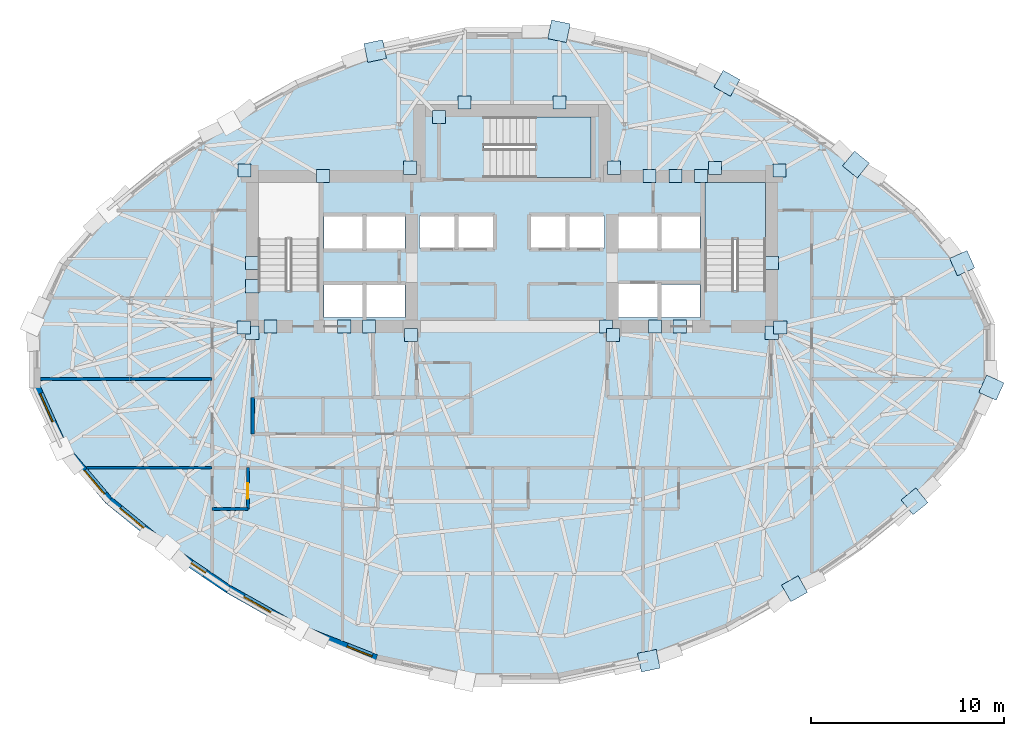
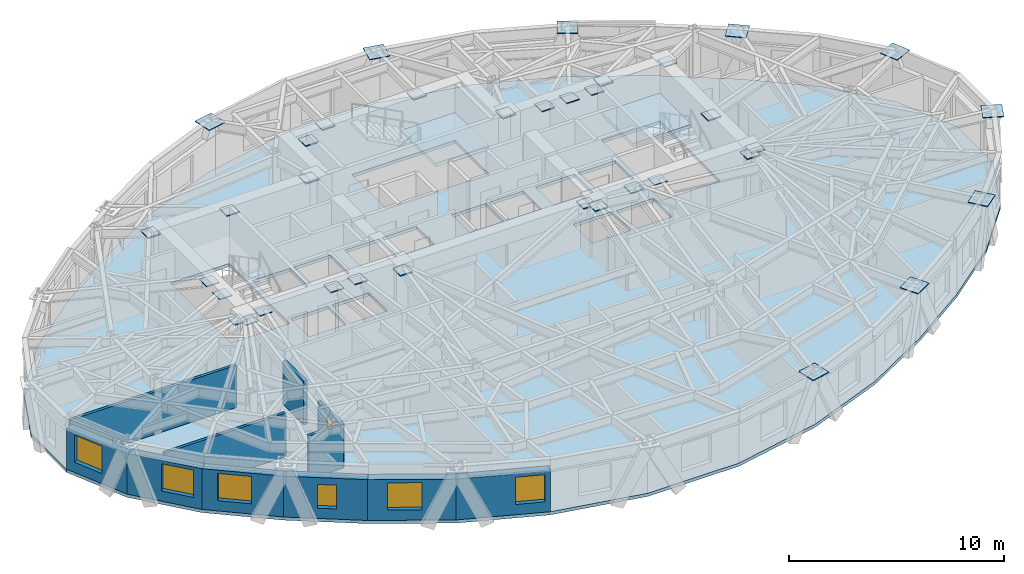
# One storey, part 5 of 14: 36 plates, 11 walls, 6 windows, 3 slabs, 1 door, 7 openings, 2 elements without a shape of their own.
"""IFC4 building model written with IfcOpenShell, lengths in metres."""

from ifc_helpers import new_model, si_unit, direction, frame, frame_2d, origin, origin_2d, place, context, subcontext, project, spatial, polyline, rectangle, outline, extrude, material, layer, layer_set, type_object, element, fill, aggregate, save


model = new_model("IFC4")

# Units and contexts
model_context = context("Model", 3, precision=1e-05, world=origin(), true_north=direction((0.0, 1.0)))
body_context = subcontext(model_context, "Body", "Model", "MODEL_VIEW")
ifc_project = project(units=[si_unit("LENGTHUNIT", "METRE"), si_unit("AREAUNIT", "SQUARE_METRE"), si_unit("VOLUMEUNIT", "CUBIC_METRE"), si_unit("PLANEANGLEUNIT", "RADIAN"), si_unit("MASSUNIT", "GRAM", prefix="KILO")], contexts=[model_context])

# Site, building, storey
site_placement = place(None, origin())
site = spatial("IfcSite", under=ifc_project, at=site_placement, CompositionType="ELEMENT")
building_placement = place(site_placement, origin())
building = spatial("IfcBuilding", under=site, at=building_placement, Name="Keldmark Tower", CompositionType="ELEMENT")
storey_placement = place(building_placement, frame((0.0, 0.0, 182.199951171875)))
storey = spatial("IfcBuildingStorey", under=building, at=storey_placement, Name="L50", CompositionType="ELEMENT", Elevation=182.199951171875)

# Plates
ifc_material_1 = material(Name="Steel ASTM A572 Grade 50", Category="steel")
ifc_layer_1 = layer(ifc_material_1, 0.06005859375)
ifc_layer_set_1 = layer_set([ifc_layer_1], Name="Steel ASTM A572 Grade 50")
plate_type_1 = type_object("IfcPlateType", Name="Belt Truss Kink Node Assembly KN01 60 mm", PredefinedType="USERDEFINED", material=ifc_layer_set_1)
for number, where, z_axis, x_axis, name in (
    (1, (13.91162109375, 1.473388671875, 2.72412109375), (0.0, 0.0, 1.0), (1.0, 0.0, 0.0), "L50 Core Wall Cast-In Embed Plate 1470"),
    (2, (13.878173828125, 9.608154296875, 2.72412109375), (0.0, 0.0, 1.0), (1.0, 0.0, 0.0), "L50 Core Wall Cast-In Embed Plate 1471"),
    (3, (5.28515625, 9.758544921875, 2.72412109375), (0.0, 0.0, 1.0), (1.0, 0.0, 0.0), "L50 Core Wall Cast-In Embed Plate 1472"),
    (4, (-5.28515625, 9.758544921875, 2.72412109375), (0.0, 0.0, 1.0), (1.0, 0.0, 0.0), "L50 Core Wall Cast-In Embed Plate 1473"),
    (5, (-13.878173828125, 9.608154296875, 2.72412109375), (0.0, 0.0, 1.0), (1.0, 0.0, 0.0), "L50 Core Wall Cast-In Embed Plate 1474"),
    (6, (-13.91162109375, 1.473388671875, 2.72412109375), (0.0, 0.0, 1.0), (1.0, 0.0, 0.0), "L50 Core Wall Cast-In Embed Plate 1475"),
    (7, (-5.24072265625, 1.08251953125, 2.72412109375), (0.0, 0.0, 1.0), (1.0, 0.0, 0.0), "L50 Core Wall Cast-In Embed Plate 1476"),
    (8, (5.24072265625, 1.08251953125, 2.72412109375), (0.0, 0.0, 1.0), (1.0, 0.0, 0.0), "L50 Core Wall Cast-In Embed Plate 1477"),
    (9, (-13.47509765625, 1.199951171875, 2.72412109375), (0.0, 0.0, 1.0), (1.0, 0.0, 0.0), "L50 Core Wall Cast-In Embed Plate 1478"),
    (10, (-7.425048828125, 1.52490234375, 2.72412109375), (0.0, 0.0, 1.0), (1.0, 0.0, 0.0), "L50 Core Wall Cast-In Embed Plate 1479"),
    (11, (7.425048828125, 1.52490234375, 2.72412109375), (0.0, 0.0, 1.0), (1.0, 0.0, 0.0), "L50 Core Wall Cast-In Embed Plate 1480"),
    (12, (13.47509765625, 1.199951171875, 2.72412109375), (0.0, 0.0, 1.0), (1.0, 0.0, 0.0), "L50 Core Wall Cast-In Embed Plate 1481"),
    (13, (13.47509765625, 4.8212890625, 2.72412109375), (0.0, 0.0, 1.0), (1.0, 0.0, 0.0), "L50 Core Wall Cast-In Embed Plate 1482"),
    (14, (9.8037109375, 9.324951171875, 2.72412109375), (0.0, 0.0, 1.0), (1.0, 0.0, 0.0), "L50 Core Wall Cast-In Embed Plate 1483"),
    (15, (10.535400390625, 9.74560546875, 2.72412109375), (0.0, 0.0, 1.0), (1.0, 0.0, 0.0), "L50 Core Wall Cast-In Embed Plate 1484"),
    (16, (7.139404296875, 9.324951171875, 2.72412109375), (0.0, 0.0, 1.0), (1.0, 0.0, 0.0), "L50 Core Wall Cast-In Embed Plate 1485"),
    (17, (-9.8037109375, 9.324951171875, 2.72412109375), (0.0, 0.0, 1.0), (1.0, 0.0, 0.0), "L50 Core Wall Cast-In Embed Plate 1486"),
    (18, (-13.47509765625, 4.8212890625, 2.72412109375), (0.0, 0.0, 1.0), (1.0, 0.0, 0.0), "L50 Core Wall Cast-In Embed Plate 1487"),
    (19, (-13.47509765625, 3.6142578125, 2.72412109375), (0.0, 0.0, 1.0), (1.0, 0.0, 0.0), "L50 Core Wall Cast-In Embed Plate 1488"),
    (20, (4.875, 1.52490234375, 2.72412109375), (0.0, 0.0, 1.0), (1.0, 0.0, 0.0), "L50 Core Wall Cast-In Embed Plate 1489"),
    (21, (-12.52490234375, 1.52490234375, 2.72412109375), (0.0, 0.0, 1.0), (1.0, 0.0, 0.0), "L50 Core Wall Cast-In Embed Plate 1490"),
    (22, (-8.699951171875, 1.52490234375, 2.72412109375), (0.0, 0.0, 1.0), (1.0, 0.0, 0.0), "L50 Core Wall Cast-In Embed Plate 1491"),
    (23, (8.699951171875, 1.52490234375, 2.72412109375), (0.0, 0.0, 1.0), (1.0, 0.0, 0.0), "L50 Core Wall Cast-In Embed Plate 1492"),
    (24, (2.45458984375, 13.14990234375, 2.72412109375), (0.0, 0.0, 1.0), (1.0, 0.0, 0.0), "L50 Core Wall Cast-In Embed Plate 1493"),
    (25, (-2.45458984375, 13.14990234375, 2.72412109375), (0.0, 0.0, 1.0), (1.0, 0.0, 0.0), "L50 Core Wall Cast-In Embed Plate 1494"),
    (26, (8.471435546875, 9.324951171875, 2.72412109375), (0.0, 0.0, 1.0), (1.0, 0.0, 0.0), "L50 Core Wall Cast-In Embed Plate 1495"),
    (27, (-3.784912109375, 12.39990234375, 2.72412109375), (0.0, 0.0, 1.0), (1.0, 0.0, 0.0), "L50 Core Wall Cast-In Embed Plate 1496"),
):
    element("IfcPlate", number, at=place(storey_placement, frame(where, z_axis=z_axis, x_axis=x_axis)), inside=storey, type_object=plate_type_1, Name=name, ObjectType="CAP PLATE", PredefinedType="USERDEFINED", context=body_context, shape_type="SweptSolid", body=[
        extrude(rectangle(XDim=0.679931640625, YDim=0.679931640625, at=origin_2d()), origin(), (0.0, 0.0, 1.0), 0.054931640625),
    ])
ifc_material_2 = material(Name="Steel ASTM A572 Grade 50", Category="steel")
ifc_layer_2 = layer(ifc_material_2, 0.044921875)
ifc_layer_set_2 = layer_set([ifc_layer_2], Name="Steel ASTM A572 Grade 50")
plate_type_2 = type_object("IfcPlateType", Name="Diagrid Node Assembly DN04 45 mm", PredefinedType="USERDEFINED", material=ifc_layer_set_2)
for number, where, z_axis, x_axis, name in (
    (28, (23.350830078125, 4.808349609375, 2.877685546875), (0.0, 0.0, 1.0), (-0.410877978854, 0.911690345728, 0.0), "L50 Diagrid Node Assembly 01"),
    (29, (17.83837890625, 9.92578125, 2.877685546875), (0.0, 0.0, 1.0), (-0.775165061333, 0.631758757508, 0.0), "L50 Diagrid Node Assembly 03"),
    (30, (11.1455078125, 14.137939453125, 2.877685546875), (0.0, 0.0, 1.0), (-0.87104240031, 0.491207834691, 0.0), "L50 Diagrid Node Assembly 05"),
    (31, (2.437255859375, 16.83837890625, 2.877685546875), (0.0, 0.0, 1.0), (-0.979222810622, 0.202787295357, 0.0), "L50 Diagrid Node Assembly 07"),
    (32, (-7.095703125, 15.81103515625, 2.877685546875), (0.0, 0.0, 1.0), (-0.979222810622, -0.202787295357, 0.0), "L50 Diagrid Node Assembly 09"),
    (33, (7.095703125, -15.81103515625, 2.877685546875), (0.0, 0.0, 1.0), (0.979222810622, 0.202787295357, 0.0), "L50 Diagrid Node Assembly 25"),
    (34, (14.654541015625, -12.075927734375, 2.877685546875), (0.0, 0.0, 1.0), (0.87104240031, 0.491207834691, 0.0), "L50 Diagrid Node Assembly 27"),
    (35, (20.87646484375, -7.54345703125, 2.877685546875), (0.0, 0.0, 1.0), (0.775165061333, 0.631758757508, 0.0), "L50 Diagrid Node Assembly 29"),
    (36, (24.865478515625, -1.646728515625, 2.877685546875), (0.0, 0.0, 1.0), (0.410877978854, 0.911690345728, 0.0), "L50 Diagrid Node Assembly 31"),
):
    element("IfcPlate", number, at=place(storey_placement, frame(where, z_axis=z_axis, x_axis=x_axis)), inside=storey, type_object=plate_type_2, Name=name, ObjectType="GUSSET", PredefinedType="USERDEFINED", context=body_context, shape_type="SweptSolid", body=[
        extrude(rectangle(XDim=0.989990234375, YDim=0.989990234375, at=origin_2d()), origin(), (0.0, 0.0, 1.0), 0.044921875),
    ])

# Slab
ifc_material_3 = material(Name="Concrete C35/45", Category="concrete")
ifc_layer_3 = layer(ifc_material_3, 0.179931640625)
ifc_layer_set_3 = layer_set([ifc_layer_3], Name="Concrete C35/45")
slab_type_1 = type_object("IfcSlabType", Name="Hotel and Residential Slab 180 mm", PredefinedType="FLOOR", material=ifc_layer_set_3)
slab_1_placement = place(storey_placement, frame((0.0, 0.0, -0.179931640625)))
element("IfcSlab", 37, at=slab_1_placement, inside=storey, type_object=slab_type_1, Name="L50 Composite Structural Floor Slab", PredefinedType="FLOOR", context=body_context, shape_type="SweptSolid", body=[
    extrude(outline(polyline([(24.900390625, 1.66259765625), (23.474365234375, 4.827392578125), (21.08203125, 7.63916015625), (18.099609375, 10.069580078125), (14.85400390625, 12.27001953125), (11.2685546875, 14.2919921875), (7.120849609375, 15.913818359375), (2.452392578125, 16.880615234375), (-2.452392578125, 16.880615234375), (-7.120849609375, 15.913818359375), (-11.2685546875, 14.2919921875), (-14.85400390625, 12.27001953125), (-18.099609375, 10.069580078125), (-21.08203125, 7.63916015625), (-23.474365234375, 4.827392578125), (-24.900390625, 1.66259765625), (-24.900390625, -1.66259765625), (-23.474365234375, -4.827392578125), (-21.08203125, -7.63916015625), (-18.099609375, -10.069580078125), (-14.85400390625, -12.27001953125), (-11.2685546875, -14.2919921875), (-7.120849609375, -15.913818359375), (-2.452392578125, -16.880615234375), (2.452392578125, -16.880615234375), (7.120849609375, -15.913818359375), (11.2685546875, -14.2919921875), (14.85400390625, -12.27001953125), (18.099609375, -10.069580078125), (21.08203125, -7.63916015625), (23.474365234375, -4.827392578125), (24.900390625, -1.66259765625), (24.900390625, 1.66259765625)]), holes=[polyline([(-10.0, 3.385009765625), (-10.0, 9.0), (-13.14990234375, 9.0), (-13.14990234375, 3.385009765625), (-10.0, 3.385009765625)]), polyline([(13.14990234375, 3.385009765625), (13.14990234375, 9.0), (10.0, 9.0), (10.0, 3.385009765625), (13.14990234375, 3.385009765625)]), polyline([(-1.43994140625, 9.25), (4.10498046875, 9.25), (4.10498046875, 12.39990234375), (-1.43994140625, 12.39990234375), (-1.43994140625, 9.25)]), polyline([(-9.75, 2.0), (-7.75, 2.0), (-7.75, 3.699951171875), (-9.75, 3.699951171875), (-9.75, 2.0)]), polyline([(7.75, 2.0), (9.75, 2.0), (9.75, 3.699951171875), (7.75, 3.699951171875), (7.75, 2.0)]), polyline([(5.449951171875, 2.0), (7.550048828125, 2.0), (7.550048828125, 3.75), (5.449951171875, 3.75), (5.449951171875, 2.0)]), polyline([(-4.800048828125, 5.60009765625), (-2.949951171875, 5.60009765625), (-2.949951171875, 7.25), (-4.800048828125, 7.25), (-4.800048828125, 5.60009765625)]), polyline([(-2.800048828125, 5.60009765625), (-0.949951171875, 5.60009765625), (-0.949951171875, 7.25), (-2.800048828125, 7.25), (-2.800048828125, 5.60009765625)]), polyline([(0.949951171875, 5.60009765625), (2.800048828125, 5.60009765625), (2.800048828125, 7.25), (0.949951171875, 7.25), (0.949951171875, 5.60009765625)]), polyline([(2.949951171875, 5.60009765625), (4.800048828125, 5.60009765625), (4.800048828125, 7.25), (2.949951171875, 7.25), (2.949951171875, 5.60009765625)]), polyline([(-9.75, 5.550048828125), (-7.75, 5.550048828125), (-7.75, 7.25), (-9.75, 7.25), (-9.75, 5.550048828125)]), polyline([(-7.550048828125, 5.550048828125), (-5.550048828125, 5.550048828125), (-5.550048828125, 7.25), (-7.550048828125, 7.25), (-7.550048828125, 5.550048828125)]), polyline([(-7.550048828125, 2.0), (-5.550048828125, 2.0), (-5.550048828125, 3.699951171875), (-7.550048828125, 3.699951171875), (-7.550048828125, 2.0)]), polyline([(5.449951171875, 5.550048828125), (7.550048828125, 5.550048828125), (7.550048828125, 7.25), (5.449951171875, 7.25), (5.449951171875, 5.550048828125)]), polyline([(7.75, 5.550048828125), (9.75, 5.550048828125), (9.75, 7.25), (7.75, 7.25), (7.75, 5.550048828125)])]), origin(), (0.0, 0.0, 1.0), 0.179931640625),
])

# Stair, slab
ifc_material_4 = material(Name="Concrete C40/50", Category="concrete")
stair_type = type_object("IfcStairType", Name="Precast Concrete Core Exit Stair", PredefinedType="HALF_TURN_STAIR", material=ifc_material_4)
stair_1_placement = place(storey_placement, origin())
stair_1 = element("IfcStair", 38, at=stair_1_placement, inside=storey, type_object=stair_type, Name="L50 Exit Stair ST2", PredefinedType="HALF_TURN_STAIR")
ifc_material_5 = material(Name="Concrete C40/50", Category="concrete")
ifc_layer_4 = layer(ifc_material_5, 0.199951171875)
ifc_layer_set_4 = layer_set([ifc_layer_4], Name="Concrete C40/50")
slab_type_2 = type_object("IfcSlabType", Name="Reinforced Concrete Stair Landing 200 mm", PredefinedType="LANDING", material=ifc_layer_set_4)
slab_2_placement = place(storey_placement, frame((0.0, 0.0, 1.400146484375)))
slab_2 = element("IfcSlab", 39, at=slab_2_placement, type_object=slab_type_2, Name="ST2 landing 1", PredefinedType="LANDING", context=body_context, shape_type="SweptSolid", body=[
    extrude(outline(polyline([(13.14990234375, 6.050048828125), (13.14990234375, 9.0), (10.0, 9.0), (10.0, 6.050048828125), (13.14990234375, 6.050048828125)])), origin(), (0.0, 0.0, 1.0), 0.199951171875),
])
aggregate(stair_1, [slab_2])

stair_2_placement = place(storey_placement, origin())
stair_2 = element("IfcStair", 40, at=stair_2_placement, inside=storey, type_object=stair_type, Name="L50 Exit Stair ST3", PredefinedType="HALF_TURN_STAIR")
slab_3_placement = place(storey_placement, frame((0.0, 0.0, 1.400146484375)))
slab_3 = element("IfcSlab", 41, at=slab_3_placement, type_object=slab_type_2, Name="ST3 landing 1", PredefinedType="LANDING", context=body_context, shape_type="SweptSolid", body=[
    extrude(outline(polyline([(1.22509765625, 9.25), (4.10498046875, 9.25), (4.10498046875, 12.39990234375), (1.22509765625, 12.39990234375), (1.22509765625, 9.25)])), origin(), (0.0, 0.0, 1.0), 0.199951171875),
])
aggregate(stair_2, [slab_3])

# Wall
ifc_material_6 = material(Name="Heavy Acoustic Plumbing Chase Gypsum Assembly", Category="gypsum")
ifc_layer_5 = layer(ifc_material_6, 0.18994140625)
ifc_layer_set_5 = layer_set([ifc_layer_5], Name="Heavy Acoustic Plumbing Chase Gypsum Assembly")
wall_type_1 = type_object("IfcWallType", Name="Heavy Wet Wall 190 mm", PredefinedType="PLUMBINGWALL", material=ifc_layer_set_5)
wall_1_placement = place(storey_placement, frame((-13.449951171875, -4.050048828125, 0.0), z_axis=(0.0, 0.0, 1.0), x_axis=(0.0, 1.0, 0.0)))
element("IfcWall", 42, at=wall_1_placement, inside=storey, type_object=wall_type_1, Name="L50 Heavy Wet Wall 190 mm SPK-W-W", PredefinedType="PLUMBINGWALL", context=body_context, shape_type="SweptSolid", body=[
    extrude(rectangle(XDim=1.900146484375, YDim=0.18994140625, at=frame_2d((0.9501953125, 0.0))), origin(), (0.0, 0.0, 1.0), 2.47314453125),
])

# Wall, opening, window
ifc_material_7 = material(Name="Ironspot Manganese Brick and Kasota Buff Limestone Spandrel Assembly", Category="masonry")
ifc_layer_6 = layer(ifc_material_7, 0.43994140625)
ifc_layer_set_6 = layer_set([ifc_layer_6], Name="Ironspot Manganese Brick and Kasota Buff Limestone Spandrel Assembly")
wall_type_2 = type_object("IfcWallType", Name="Tower Brick Pier and Spandrel Wall 440 mm", PredefinedType="STANDARD", material=ifc_layer_set_6)
wall_2_placement = place(storey_placement, frame((-23.273681640625, -4.737060546875, 0.0), z_axis=(0.0, 0.0, 1.0), x_axis=(-0.410812065386, 0.911720048553, 0.0)))
wall_2 = element("IfcWall", 43, at=wall_2_placement, inside=storey, type_object=wall_type_2, Name="L50 Exterior Brick and Spandrel Wall 17", PredefinedType="STANDARD", context=body_context, shape_type="SweptSolid", body=[
    extrude(rectangle(XDim=3.47119140625, YDim=0.43994140625, at=frame_2d((1.735595703125, 0.0))), origin(), (0.0, 0.0, 1.0), 2.31494140625),
])
opening_1_placement = place(wall_2_placement, frame((1.426025390625, 0.0, 0.580078125)))
opening_1 = element("IfcOpeningElement", 44, at=opening_1_placement, cuts=wall_2, Name="Opening W-04", PredefinedType="OPENING", context=body_context, shape_type="SweptSolid", body=[
    extrude(rectangle(XDim=1.60009765625, YDim=1.550048828125, at=frame_2d((0.800048828125, 0.77490234375))), frame((0.0, 0.22998046875, 0.0), z_axis=(0.0, -1.0, 0.0), x_axis=(1.0, 0.0, 0.0)), (0.0, 0.0, 1.0), 0.4599609375),
])
ifc_material_8 = material(Name="Thermally Broken Anodized Aluminum and Triple Low-E Argon Glazing", Category="aluminium")
window_type_1 = type_object("IfcWindowType", Name="Hotel Deep-Set Operable Window 1600x1550", PartitioningType="DOUBLE_PANEL_HORIZONTAL", PredefinedType="WINDOW", material=ifc_material_8)
window_1_placement = place(opening_1_placement, origin())
window_1 = element("IfcWindow", 45, at=window_1_placement, inside=storey, type_object=window_type_1, Name="L50 Deep-Set Window 17", OverallHeight=1.550048828125, OverallWidth=1.60009765625, PartitioningType="SINGLE_PANEL", PredefinedType="WINDOW", context=body_context, shape_type="SweptSolid", body=[
    extrude(rectangle(XDim=1.60009765625, YDim=1.550048828125, at=frame_2d((0.800048828125, 0.77490234375))), frame((0.0, -0.010009765625, 0.0), z_axis=(0.0, -1.0, 0.0), x_axis=(1.0, 0.0, 0.0)), (0.0, 0.0, 1.0), 0.06005859375),
])
fill(opening_1, window_1)

wall_3_placement = place(storey_placement, frame((-20.914306640625, -7.49658203125, 0.0), z_axis=(0.0, 0.0, 1.0), x_axis=(-0.648014991522, 0.761627580096, 0.0)))
wall_3 = element("IfcWall", 46, at=wall_3_placement, inside=storey, type_object=wall_type_2, Name="L50 Exterior Brick and Spandrel Wall 18", PredefinedType="STANDARD", context=body_context, shape_type="SweptSolid", body=[
    extrude(rectangle(XDim=3.69189453125, YDim=0.43994140625, at=frame_2d((1.845947265625, 0.0))), origin(), (0.0, 0.0, 1.0), 2.31494140625),
])
opening_2_placement = place(wall_3_placement, frame((0.39892578125, 0.0, 0.580078125)))
opening_2 = element("IfcOpeningElement", 47, at=opening_2_placement, cuts=wall_3, Name="Opening W-04", PredefinedType="OPENING", context=body_context, shape_type="SweptSolid", body=[
    extrude(rectangle(XDim=1.60009765625, YDim=1.550048828125, at=frame_2d((0.800048828125, 0.77490234375))), frame((0.0, 0.22998046875, 0.0), z_axis=(0.0, -1.0, 0.0), x_axis=(1.0, 0.0, 0.0)), (0.0, 0.0, 1.0), 0.4599609375),
])
window_2_placement = place(opening_2_placement, origin())
window_2 = element("IfcWindow", 48, at=window_2_placement, inside=storey, type_object=window_type_1, Name="L50 Deep-Set Window 18", OverallHeight=1.550048828125, OverallWidth=1.60009765625, PartitioningType="SINGLE_PANEL", PredefinedType="WINDOW", context=body_context, shape_type="SweptSolid", body=[
    extrude(rectangle(XDim=1.60009765625, YDim=1.550048828125, at=frame_2d((0.800048828125, 0.77490234375))), frame((0.0, -0.010009765625, 0.0), z_axis=(0.0, -1.0, 0.0), x_axis=(1.0, 0.0, 0.0)), (0.0, 0.0, 1.0), 0.06005859375),
])
fill(opening_2, window_2)

wall_4_placement = place(storey_placement, frame((-17.96044921875, -9.899169921875, 0.0), z_axis=(0.0, 0.0, 1.0), x_axis=(-0.77522232587, 0.631688487684, 0.0)))
wall_4 = element("IfcWall", 49, at=wall_4_placement, inside=storey, type_object=wall_type_2, Name="L50 Exterior Brick and Spandrel Wall 19", PredefinedType="STANDARD", context=body_context, shape_type="SweptSolid", body=[
    extrude(rectangle(XDim=3.847412109375, YDim=0.43994140625, at=frame_2d((1.923828125, 0.0))), origin(), (0.0, 0.0, 1.0), 2.31494140625),
])
opening_3_placement = place(wall_4_placement, frame((1.498291015625, 0.0, 0.580078125)))
opening_3 = element("IfcOpeningElement", 50, at=opening_3_placement, cuts=wall_4, Name="Opening W-04", PredefinedType="OPENING", context=body_context, shape_type="SweptSolid", body=[
    extrude(rectangle(XDim=1.60009765625, YDim=1.550048828125, at=frame_2d((0.800048828125, 0.77490234375))), frame((0.0, 0.22998046875, 0.0), z_axis=(0.0, -1.0, 0.0), x_axis=(1.0, 0.0, 0.0)), (0.0, 0.0, 1.0), 0.4599609375),
])
window_3_placement = place(opening_3_placement, origin())
window_3 = element("IfcWindow", 51, at=window_3_placement, inside=storey, type_object=window_type_1, Name="L50 Deep-Set Window 19", OverallHeight=1.550048828125, OverallWidth=1.60009765625, PartitioningType="SINGLE_PANEL", PredefinedType="WINDOW", context=body_context, shape_type="SweptSolid", body=[
    extrude(rectangle(XDim=1.60009765625, YDim=1.550048828125, at=frame_2d((0.800048828125, 0.77490234375))), frame((0.0, -0.010009765625, 0.0), z_axis=(0.0, -1.0, 0.0), x_axis=(1.0, 0.0, 0.0)), (0.0, 0.0, 1.0), 0.06005859375),
])
fill(opening_3, window_3)

wall_5_placement = place(storey_placement, frame((-14.73046875, -12.087890625, 0.0), z_axis=(0.0, 0.0, 1.0), x_axis=(-0.827733986143, 0.561120707321, 0.0)))
wall_5 = element("IfcWall", 52, at=wall_5_placement, inside=storey, type_object=wall_type_2, Name="L50 Exterior Brick and Spandrel Wall 20", PredefinedType="STANDARD", context=body_context, shape_type="SweptSolid", body=[
    extrude(rectangle(XDim=3.921142578125, YDim=0.43994140625, at=frame_2d((1.96044921875, 0.0))), origin(), (0.0, 0.0, 1.0), 2.31494140625),
])
opening_4_placement = place(wall_5_placement, frame((1.436279296875, 0.0, 0.580078125)))
opening_4 = element("IfcOpeningElement", 53, at=opening_4_placement, cuts=wall_5, Name="Opening W-09", PredefinedType="OPENING", context=body_context, shape_type="SweptSolid", body=[
    extrude(rectangle(XDim=0.89990234375, YDim=1.35009765625, at=frame_2d((0.449951171875, 0.675048828125))), frame((0.0, 0.22998046875, 0.0), z_axis=(0.0, -1.0, 0.0), x_axis=(1.0, 0.0, 0.0)), (0.0, 0.0, 1.0), 0.4599609375),
])
ifc_material_9 = material(Name="Thermally Broken Anodized Aluminum and Triple Low-E Argon Glazing", Category="aluminium")
window_type_2 = type_object("IfcWindowType", Name="Corner Pier Deep-Set Window 900x1350", PartitioningType="SINGLE_PANEL", PredefinedType="WINDOW", material=ifc_material_9)
window_4_placement = place(opening_4_placement, origin())
window_4 = element("IfcWindow", 54, at=window_4_placement, inside=storey, type_object=window_type_2, Name="L50 Deep-Set Window 20", OverallHeight=1.35009765625, OverallWidth=0.89990234375, PartitioningType="SINGLE_PANEL", PredefinedType="WINDOW", context=body_context, shape_type="SweptSolid", body=[
    extrude(rectangle(XDim=0.89990234375, YDim=1.35009765625, at=frame_2d((0.449951171875, 0.675048828125))), frame((0.0, -0.010009765625, 0.0), z_axis=(0.0, -1.0, 0.0), x_axis=(1.0, 0.0, 0.0)), (0.0, 0.0, 1.0), 0.06005859375),
])
fill(opening_4, window_4)

wall_6_placement = place(storey_placement, frame((-11.160400390625, -14.100341796875, 0.0), z_axis=(0.0, 0.0, 1.0), x_axis=(-0.871039635509, 0.491212737388, 0.0)))
wall_6 = element("IfcWall", 55, at=wall_6_placement, inside=storey, type_object=wall_type_2, Name="L50 Exterior Brick and Spandrel Wall 21", PredefinedType="STANDARD", context=body_context, shape_type="SweptSolid", body=[
    extrude(rectangle(XDim=4.1162109375, YDim=0.43994140625, at=frame_2d((2.05810546875, 0.0))), origin(), (0.0, 0.0, 1.0), 2.31494140625),
])
opening_5_placement = place(wall_6_placement, frame((1.577880859375, 0.0, 0.580078125)))
opening_5 = element("IfcOpeningElement", 56, at=opening_5_placement, cuts=wall_6, Name="Opening W-04", PredefinedType="OPENING", context=body_context, shape_type="SweptSolid", body=[
    extrude(rectangle(XDim=1.60009765625, YDim=1.550048828125, at=frame_2d((0.800048828125, 0.77490234375))), frame((0.0, 0.22998046875, 0.0), z_axis=(0.0, -1.0, 0.0), x_axis=(1.0, 0.0, 0.0)), (0.0, 0.0, 1.0), 0.4599609375),
])
window_5_placement = place(opening_5_placement, origin())
window_5 = element("IfcWindow", 57, at=window_5_placement, inside=storey, type_object=window_type_1, Name="L50 Deep-Set Window 21", OverallHeight=1.550048828125, OverallWidth=1.60009765625, PartitioningType="SINGLE_PANEL", PredefinedType="WINDOW", context=body_context, shape_type="SweptSolid", body=[
    extrude(rectangle(XDim=1.60009765625, YDim=1.550048828125, at=frame_2d((0.800048828125, 0.77490234375))), frame((0.0, -0.010009765625, 0.0), z_axis=(0.0, -1.0, 0.0), x_axis=(1.0, 0.0, 0.0)), (0.0, 0.0, 1.0), 0.06005859375),
])
fill(opening_5, window_5)

wall_7_placement = place(storey_placement, frame((-7.040771484375, -15.708740234375, 0.0), z_axis=(0.0, 0.0, 1.0), x_axis=(-0.93133333838, 0.364167836062, 0.0)))
wall_7 = element("IfcWall", 58, at=wall_7_placement, inside=storey, type_object=wall_type_2, Name="L50 Exterior Brick and Spandrel Wall 22", PredefinedType="STANDARD", context=body_context, shape_type="SweptSolid", body=[
    extrude(rectangle(XDim=4.45361328125, YDim=0.43994140625, at=frame_2d((2.226806640625, 0.0))), origin(), (0.0, 0.0, 1.0), 2.31494140625),
])
opening_6_placement = place(wall_7_placement, frame((0.2490234375, 0.0, 0.580078125)))
opening_6 = element("IfcOpeningElement", 59, at=opening_6_placement, cuts=wall_7, Name="Opening W-08", PredefinedType="OPENING", context=body_context, shape_type="SweptSolid", body=[
    extrude(rectangle(XDim=1.39990234375, YDim=1.550048828125, at=frame_2d((0.699951171875, 0.77490234375))), frame((0.0, 0.22998046875, 0.0), z_axis=(0.0, -1.0, 0.0), x_axis=(1.0, 0.0, 0.0)), (0.0, 0.0, 1.0), 0.4599609375),
])
ifc_material_10 = material(Name="Thermally Broken Anodized Aluminum and Triple Low-E Argon Glazing", Category="aluminium")
window_type_3 = type_object("IfcWindowType", Name="Residential Corner Punched Window 1400x1550", PartitioningType="SINGLE_PANEL", PredefinedType="WINDOW", material=ifc_material_10)
window_6_placement = place(opening_6_placement, origin())
window_6 = element("IfcWindow", 60, at=window_6_placement, inside=storey, type_object=window_type_3, Name="L50 Deep-Set Window 22", OverallHeight=1.550048828125, OverallWidth=1.39990234375, PartitioningType="SINGLE_PANEL", PredefinedType="WINDOW", context=body_context, shape_type="SweptSolid", body=[
    extrude(rectangle(XDim=1.39990234375, YDim=1.550048828125, at=frame_2d((0.699951171875, 0.77490234375))), frame((0.0, -0.010009765625, 0.0), z_axis=(0.0, -1.0, 0.0), x_axis=(1.0, 0.0, 0.0)), (0.0, 0.0, 1.0), 0.06005859375),
])
fill(opening_6, window_6)

# Wall
ifc_material_11 = material(Name="Moisture-Resistant Gypsum Plumbing Partition", Category="gypsum")
ifc_layer_7 = layer(ifc_material_11, 0.14990234375)
ifc_layer_set_7 = layer_set([ifc_layer_7], Name="Moisture-Resistant Gypsum Plumbing Partition")
wall_type_3 = type_object("IfcWallType", Name="Wet Wall 150 mm", PredefinedType="PLUMBINGWALL", material=ifc_layer_set_7)
wall_8_placement = place(storey_placement, frame((-22.05859375, -5.800048828125, 0.0), z_axis=(0.0, 0.0, 1.0), x_axis=(1.0, 0.0, 0.0)))
element("IfcWall", 61, at=wall_8_placement, inside=storey, type_object=wall_type_3, Name="L50 Wet Wall 150 mm HW-CAP-S", PredefinedType="PLUMBINGWALL", context=body_context, shape_type="SweptSolid", body=[
    extrude(rectangle(XDim=6.508544921875, YDim=0.14990234375, at=frame_2d((3.25439453125, 0.0))), origin(), (0.0, 0.0, 1.0), 2.47314453125),
])

# Wall, opening, door
wall_9_placement = place(storey_placement, frame((-13.699951171875, -7.949951171875, 0.0), z_axis=(0.0, 0.0, 1.0), x_axis=(0.0, 1.0, 0.0)))
wall_9 = element("IfcWall", 62, at=wall_9_placement, inside=storey, type_object=wall_type_3, Name="L50 Wet Wall 150 mm HB-S1-E", PredefinedType="PLUMBINGWALL", context=body_context, shape_type="SweptSolid", body=[
    extrude(rectangle(XDim=2.14990234375, YDim=0.14990234375, at=frame_2d((1.074951171875, 0.0))), origin(), (0.0, 0.0, 1.0), 2.47314453125),
])
opening_7_placement = place(wall_9_placement, frame((0.550048828125, 0.0, 0.0)))
opening_7 = element("IfcOpeningElement", 63, at=opening_7_placement, cuts=wall_9, Name="Opening D-BT080", PredefinedType="OPENING", context=body_context, shape_type="SweptSolid", body=[
    extrude(rectangle(XDim=0.800048828125, YDim=2.10009765625, at=frame_2d((0.39990234375, 1.050048828125))), frame((0.0, 0.0849609375, 0.0), z_axis=(0.0, -1.0, 0.0), x_axis=(1.0, 0.0, 0.0)), (0.0, 0.0, 1.0), 0.169921875),
])
ifc_material_12 = material(Name="Moisture-Sealed Stained Wood", Category="wood")
door_type = type_object("IfcDoorType", Name="Bathroom Door 800x2100", OperationType="NOTDEFINED", PredefinedType="DOOR", material=ifc_material_12)
door_placement = place(opening_7_placement, origin())
door = element("IfcDoor", 64, at=door_placement, inside=storey, type_object=door_type, Name="L50 Bathroom Door 800x2100 D-HBS1-L50", OperationType="SINGLE_SWING_RIGHT", OverallHeight=2.10009765625, OverallWidth=0.800048828125, PredefinedType="DOOR", context=body_context, shape_type="SweptSolid", body=[
    extrude(rectangle(XDim=0.800048828125, YDim=2.10009765625, at=frame_2d((0.39990234375, 1.050048828125))), frame((0.0, 0.02490234375, 0.0), z_axis=(0.0, -1.0, 0.0), x_axis=(1.0, 0.0, 0.0)), (0.0, 0.0, 1.0), 0.050048828125),
])
fill(opening_7, door)

# Walls
wall_10_placement = place(storey_placement, frame((-15.550048828125, -7.949951171875, 0.0), z_axis=(0.0, 0.0, 1.0), x_axis=(1.0, 0.0, 0.0)))
element("IfcWall", 65, at=wall_10_placement, inside=storey, type_object=wall_type_3, Name="L50 Wet Wall 150 mm HB-S1-S", PredefinedType="PLUMBINGWALL", context=body_context, shape_type="SweptSolid", body=[
    extrude(rectangle(XDim=1.85009765625, YDim=0.14990234375, at=frame_2d((0.925048828125, 0.0))), origin(), (0.0, 0.0, 1.0), 2.47314453125),
])
wall_11_placement = place(storey_placement, frame((-24.452392578125, -1.199951171875, 0.0), z_axis=(0.0, 0.0, 1.0), x_axis=(1.0, 0.0, 0.0)))
element("IfcWall", 66, at=wall_11_placement, inside=storey, type_object=wall_type_3, Name="L50 Wet Wall 150 mm HW-DIV-1", PredefinedType="PLUMBINGWALL", context=body_context, shape_type="SweptSolid", body=[
    extrude(rectangle(XDim=8.90234375, YDim=0.14990234375, at=frame_2d((4.451171875, 0.0))), origin(), (0.0, 0.0, 1.0), 2.39794921875),
])

save(model, "model.ifc")
